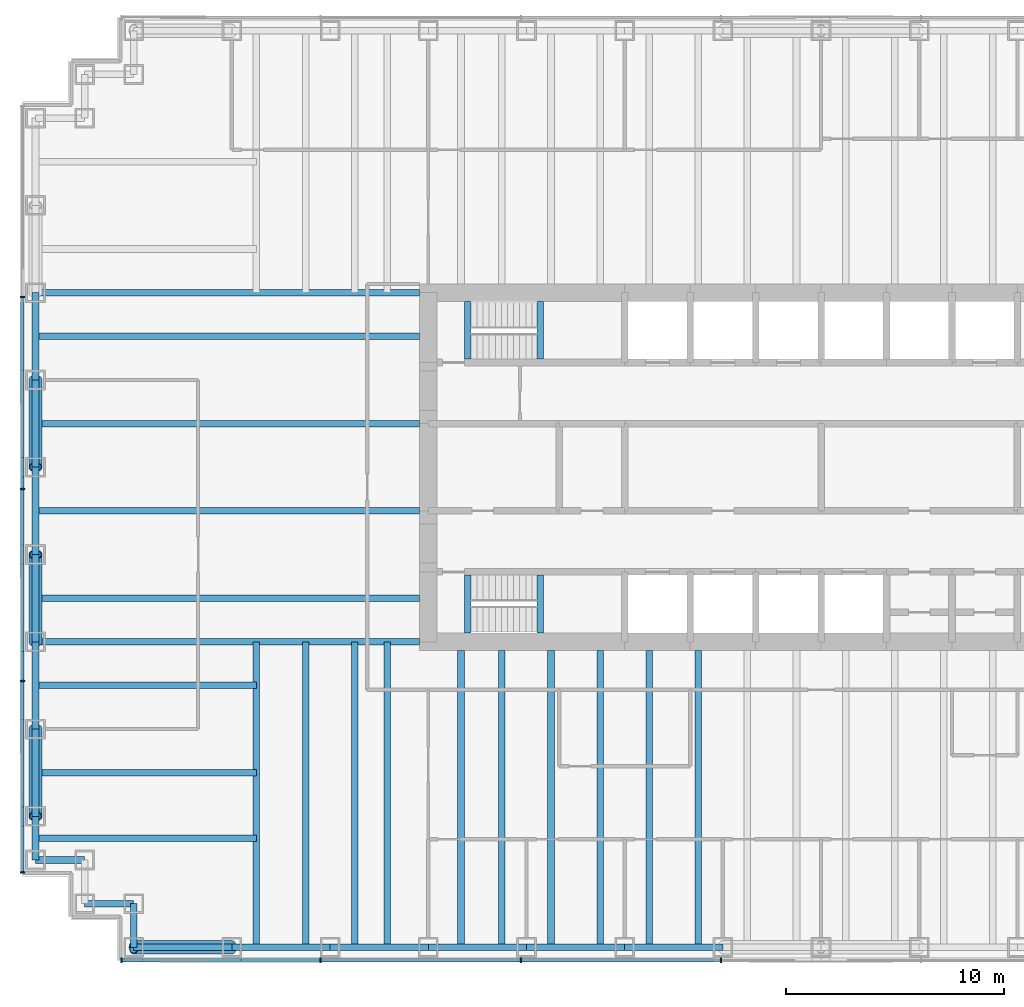
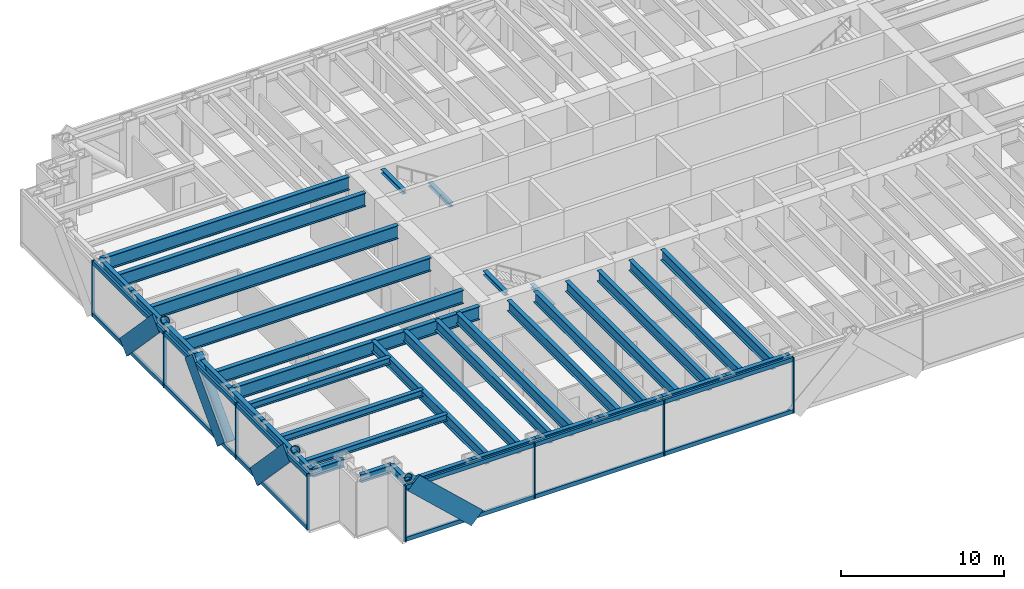
# One storey, part 2 of 14: 39 beams, 28 members, 2 elements without a shape of their own.
"""IFC4 building model written with IfcOpenShell, lengths in metres."""

from ifc_helpers import new_model, si_unit, direction, frame, origin, origin_2d, place, context, subcontext, project, spatial, rectangle, hollow_circle, i_section, extrude, material, material_profile, profile_set, type_object, element, aggregate, save


model = new_model("IFC4")

# Units and contexts
model_context = context("Model", 3, precision=1e-05, world=origin(), true_north=direction((0.0, 1.0)))
body_context = subcontext(model_context, "Body", "Model", "MODEL_VIEW")
ifc_project = project(units=[si_unit("LENGTHUNIT", "METRE"), si_unit("AREAUNIT", "SQUARE_METRE"), si_unit("VOLUMEUNIT", "CUBIC_METRE"), si_unit("PLANEANGLEUNIT", "RADIAN"), si_unit("MASSUNIT", "GRAM", prefix="KILO")], contexts=[model_context])

# Site, building, storey
site_placement = place(None, origin())
site = spatial("IfcSite", under=ifc_project, at=site_placement, CompositionType="ELEMENT")
building_placement = place(site_placement, origin())
building = spatial("IfcBuilding", under=site, at=building_placement, Name="Rheinbord Bourse Tower", CompositionType="ELEMENT")
storey_placement = place(building_placement, frame((0.0, 0.0, 211.0)))
storey = spatial("IfcBuildingStorey", under=building, at=storey_placement, Name="L47", CompositionType="ELEMENT", Elevation=211.0)

# Curtain wall, member
ifc_material_1 = material(Name="Dark glass and black aluminium", Category="aluminium")
curtain_wall_type = type_object("IfcCurtainWallType", Name="CW2 DARK GLASS CURTAIN WALL", PredefinedType="USERDEFINED", material=ifc_material_1)
curtain_wall_1_placement = place(storey_placement, origin())
curtain_wall_1 = element("IfcCurtainWall", 1, at=curtain_wall_1_placement, inside=storey, type_object=curtain_wall_type, Name="Curtain wall CW2 S L47", ObjectType="UNITISED CURTAIN WALL", PredefinedType="USERDEFINED")
ifc_material_2 = material(Name="Black anodised aluminium", Category="aluminium")
ifc_material_profile_1 = material_profile(ifc_material_2, rectangle(XDim=0.159912109375, YDim=1.2099609375, at=origin_2d()), Name="CW2 DIAGONAL MULLION 1210x160")
ifc_profile_set_1 = profile_set([ifc_material_profile_1], Name="Black anodised aluminium")
member_type_1 = type_object("IfcMemberType", Name="CW2 BLACK DIAGONAL MULLION", PredefinedType="USERDEFINED", material=ifc_profile_set_1)
member_1_placement = place(storey_placement, frame((9.0, 1.39990234375, 0.0), z_axis=(-0.73105922506, 0.0, 0.682314010889), x_axis=(0.0, -1.0, 0.0)))
member_1 = element("IfcMember", 2, at=member_1_placement, type_object=member_type_1, Name="CW2 diagonal mullion c", ObjectType="DIAGONAL MULLION", PredefinedType="USERDEFINED", context=body_context, shape_type="SweptSolid", body=[
    extrude(rectangle(XDim=0.159912109375, YDim=1.2099609375, at=origin_2d()), origin(), (0.0, 0.0, 1.0), 6.155517578125),
])

# Curtain wall, members
curtain_wall_2_placement = place(storey_placement, origin())
curtain_wall_2 = element("IfcCurtainWall", 3, at=curtain_wall_2_placement, inside=storey, type_object=curtain_wall_type, Name="Curtain wall CW2 W L47", ObjectType="UNITISED CURTAIN WALL", PredefinedType="USERDEFINED")
member_2_placement = place(storey_placement, frame((-0.60009765625, 28.0, 0.0), z_axis=(0.0, -0.689659376744, 0.724133926887), x_axis=(1.0, 0.0, 0.0)))
member_2 = element("IfcMember", 4, at=member_2_placement, type_object=member_type_1, Name="CW2 diagonal mullion a", ObjectType="DIAGONAL MULLION", PredefinedType="USERDEFINED", context=body_context, shape_type="SweptSolid", body=[
    extrude(rectangle(XDim=0.159912109375, YDim=1.2099609375, at=origin_2d()), origin(), (0.0, 0.0, 1.0), 5.800048828125),
])
member_3_placement = place(storey_placement, frame((-0.60009765625, 16.0, 0.0), z_axis=(0.0, 0.689659376744, 0.724133926887), x_axis=(-1.0, 0.0, 0.0)))
member_3 = element("IfcMember", 5, at=member_3_placement, type_object=member_type_1, Name="CW2 diagonal mullion b", ObjectType="DIAGONAL MULLION", PredefinedType="USERDEFINED", context=body_context, shape_type="SweptSolid", body=[
    extrude(rectangle(XDim=0.159912109375, YDim=1.2099609375, at=origin_2d()), origin(), (0.0, 0.0, 1.0), 5.800048828125),
])
member_4_placement = place(storey_placement, frame((-0.60009765625, 12.0, 0.0), z_axis=(0.0, -0.689659376744, 0.724133926887), x_axis=(1.0, 0.0, 0.0)))
member_4 = element("IfcMember", 6, at=member_4_placement, type_object=member_type_1, Name="CW2 diagonal mullion c", ObjectType="DIAGONAL MULLION", PredefinedType="USERDEFINED", context=body_context, shape_type="SweptSolid", body=[
    extrude(rectangle(XDim=0.159912109375, YDim=1.2099609375, at=origin_2d()), origin(), (0.0, 0.0, 1.0), 5.800048828125),
])

# Member
ifc_material_3 = material(Name="Black anodised aluminium", Category="aluminium")
ifc_material_profile_2 = material_profile(ifc_material_3, rectangle(XDim=0.219970703125, YDim=0.070068359375, at=origin_2d()), Name="CW2 MULLION 70x220")
ifc_profile_set_2 = profile_set([ifc_material_profile_2], Name="Black anodised aluminium")
member_type_2 = type_object("IfcMemberType", Name="CW2 BLACK MULLION", PredefinedType="MULLION", material=ifc_profile_set_2)
member_5_placement = place(storey_placement, frame((3.93505859375, 1.39990234375, 0.0), z_axis=(0.0, 0.0, 1.0), x_axis=(0.0, 1.0, 0.0)))
member_5 = element("IfcMember", 7, at=member_5_placement, type_object=member_type_2, Name="CW2 mullion 1", PredefinedType="MULLION", context=body_context, shape_type="SweptSolid", body=[
    extrude(rectangle(XDim=0.219970703125, YDim=0.070068359375, at=origin_2d()), origin(), (0.0, 0.0, 1.0), 4.199951171875),
])

member_6_placement = place(storey_placement, frame((13.071533203125, 1.39990234375, 0.0), z_axis=(0.0, 0.0, 1.0), x_axis=(0.0, 1.0, 0.0)))
member_6 = element("IfcMember", 8, at=member_6_placement, type_object=member_type_2, Name="CW2 mullion 2", PredefinedType="MULLION", context=body_context, shape_type="SweptSolid", body=[
    extrude(rectangle(XDim=0.219970703125, YDim=0.070068359375, at=origin_2d()), origin(), (0.0, 0.0, 1.0), 4.199951171875),
])

member_7_placement = place(storey_placement, frame((22.242919921875, 1.39990234375, 0.0), z_axis=(0.0, 0.0, 1.0), x_axis=(0.0, 1.0, 0.0)))
member_7 = element("IfcMember", 9, at=member_7_placement, type_object=member_type_2, Name="CW2 mullion 3", PredefinedType="MULLION", context=body_context, shape_type="SweptSolid", body=[
    extrude(rectangle(XDim=0.219970703125, YDim=0.070068359375, at=origin_2d()), origin(), (0.0, 0.0, 1.0), 4.199951171875),
])

member_8_placement = place(storey_placement, frame((31.414306640625, 1.39990234375, 0.0), z_axis=(0.0, 0.0, 1.0), x_axis=(0.0, 1.0, 0.0)))
member_8 = element("IfcMember", 10, at=member_8_placement, type_object=member_type_2, Name="CW2 mullion 4", PredefinedType="MULLION", context=body_context, shape_type="SweptSolid", body=[
    extrude(rectangle(XDim=0.219970703125, YDim=0.070068359375, at=origin_2d()), origin(), (0.0, 0.0, 1.0), 4.199951171875),
])

member_9_placement = place(storey_placement, frame((-0.60009765625, 31.800048828125, 0.0), z_axis=(0.0, 0.0, 1.0), x_axis=(1.0, 0.0, 0.0)))
member_9 = element("IfcMember", 11, at=member_9_placement, type_object=member_type_2, Name="CW2 mullion 2", PredefinedType="MULLION", context=body_context, shape_type="SweptSolid", body=[
    extrude(rectangle(XDim=0.219970703125, YDim=0.070068359375, at=origin_2d()), origin(), (0.0, 0.0, 1.0), 4.199951171875),
])

member_10_placement = place(storey_placement, frame((-0.60009765625, 23.0, 0.0), z_axis=(0.0, 0.0, 1.0), x_axis=(1.0, 0.0, 0.0)))
member_10 = element("IfcMember", 12, at=member_10_placement, type_object=member_type_2, Name="CW2 mullion 3", PredefinedType="MULLION", context=body_context, shape_type="SweptSolid", body=[
    extrude(rectangle(XDim=0.219970703125, YDim=0.070068359375, at=origin_2d()), origin(), (0.0, 0.0, 1.0), 4.199951171875),
])

member_11_placement = place(storey_placement, frame((-0.60009765625, 14.199951171875, 0.0), z_axis=(0.0, 0.0, 1.0), x_axis=(1.0, 0.0, 0.0)))
member_11 = element("IfcMember", 13, at=member_11_placement, type_object=member_type_2, Name="CW2 mullion 4", PredefinedType="MULLION", context=body_context, shape_type="SweptSolid", body=[
    extrude(rectangle(XDim=0.219970703125, YDim=0.070068359375, at=origin_2d()), origin(), (0.0, 0.0, 1.0), 4.199951171875),
])

member_12_placement = place(storey_placement, frame((-0.60009765625, 5.43505859375, 0.0), z_axis=(0.0, 0.0, 1.0), x_axis=(1.0, 0.0, 0.0)))
member_12 = element("IfcMember", 14, at=member_12_placement, type_object=member_type_2, Name="CW2 mullion 5", PredefinedType="MULLION", context=body_context, shape_type="SweptSolid", body=[
    extrude(rectangle(XDim=0.219970703125, YDim=0.070068359375, at=origin_2d()), origin(), (0.0, 0.0, 1.0), 4.199951171875),
])

ifc_material_4 = material(Name="Black anodised aluminium", Category="aluminium")
ifc_material_profile_3 = material_profile(ifc_material_4, rectangle(XDim=0.159912109375, YDim=0.300048828125, at=origin_2d()), Name="CW2 TRANSOM 300x160")
ifc_profile_set_3 = profile_set([ifc_material_profile_3], Name="Black anodised aluminium")
member_type_3 = type_object("IfcMemberType", Name="CW2 BLACK TRANSOM", PredefinedType="USERDEFINED", material=ifc_profile_set_3)
member_13_placement = place(storey_placement, frame((3.969970703125, 1.39990234375, 0.14990234375), z_axis=(1.0, 0.0, 0.0), x_axis=(0.0, 1.0, 0.0)))
member_13 = element("IfcMember", 15, at=member_13_placement, type_object=member_type_3, Name="CW2 transom 1.1", ObjectType="TRANSOM", PredefinedType="USERDEFINED", context=body_context, shape_type="SweptSolid", body=[
    extrude(rectangle(XDim=0.159912109375, YDim=0.300048828125, at=origin_2d()), origin(), (0.0, 0.0, 1.0), 9.06640625),
])

member_14_placement = place(storey_placement, frame((3.969970703125, 1.39990234375, 4.050048828125), z_axis=(1.0, 0.0, 0.0), x_axis=(0.0, 1.0, 0.0)))
member_14 = element("IfcMember", 16, at=member_14_placement, type_object=member_type_3, Name="CW2 transom 1.2", ObjectType="TRANSOM", PredefinedType="USERDEFINED", context=body_context, shape_type="SweptSolid", body=[
    extrude(rectangle(XDim=0.159912109375, YDim=0.300048828125, at=origin_2d()), origin(), (0.0, 0.0, 1.0), 9.06640625),
])

member_15_placement = place(storey_placement, frame((13.1064453125, 1.39990234375, 0.14990234375), z_axis=(1.0, 0.0, 0.0), x_axis=(0.0, 1.0, 0.0)))
member_15 = element("IfcMember", 17, at=member_15_placement, type_object=member_type_3, Name="CW2 transom 2.1", ObjectType="TRANSOM", PredefinedType="USERDEFINED", context=body_context, shape_type="SweptSolid", body=[
    extrude(rectangle(XDim=0.159912109375, YDim=0.300048828125, at=origin_2d()), origin(), (0.0, 0.0, 1.0), 9.101318359375),
])

member_16_placement = place(storey_placement, frame((13.1064453125, 1.39990234375, 4.050048828125), z_axis=(1.0, 0.0, 0.0), x_axis=(0.0, 1.0, 0.0)))
member_16 = element("IfcMember", 18, at=member_16_placement, type_object=member_type_3, Name="CW2 transom 2.2", ObjectType="TRANSOM", PredefinedType="USERDEFINED", context=body_context, shape_type="SweptSolid", body=[
    extrude(rectangle(XDim=0.159912109375, YDim=0.300048828125, at=origin_2d()), origin(), (0.0, 0.0, 1.0), 9.101318359375),
])

member_17_placement = place(storey_placement, frame((22.27783203125, 1.39990234375, 0.14990234375), z_axis=(1.0, 0.0, 0.0), x_axis=(0.0, 1.0, 0.0)))
member_17 = element("IfcMember", 19, at=member_17_placement, type_object=member_type_3, Name="CW2 transom 3.1", ObjectType="TRANSOM", PredefinedType="USERDEFINED", context=body_context, shape_type="SweptSolid", body=[
    extrude(rectangle(XDim=0.159912109375, YDim=0.300048828125, at=origin_2d()), origin(), (0.0, 0.0, 1.0), 9.1015625),
])

member_18_placement = place(storey_placement, frame((22.27783203125, 1.39990234375, 4.050048828125), z_axis=(1.0, 0.0, 0.0), x_axis=(0.0, 1.0, 0.0)))
member_18 = element("IfcMember", 20, at=member_18_placement, type_object=member_type_3, Name="CW2 transom 3.2", ObjectType="TRANSOM", PredefinedType="USERDEFINED", context=body_context, shape_type="SweptSolid", body=[
    extrude(rectangle(XDim=0.159912109375, YDim=0.300048828125, at=origin_2d()), origin(), (0.0, 0.0, 1.0), 9.1015625),
])

aggregate(curtain_wall_1, [member_5, member_6, member_7, member_8, member_13, member_14, member_15, member_16, member_17, member_18, member_1])

member_19_placement = place(storey_placement, frame((-0.60009765625, 31.764892578125, 0.14990234375), z_axis=(0.0, -1.0, 0.0), x_axis=(1.0, 0.0, 0.0)))
member_19 = element("IfcMember", 21, at=member_19_placement, type_object=member_type_3, Name="CW2 transom 2.1", ObjectType="TRANSOM", PredefinedType="USERDEFINED", context=body_context, shape_type="SweptSolid", body=[
    extrude(rectangle(XDim=0.159912109375, YDim=0.300048828125, at=origin_2d()), origin(), (0.0, 0.0, 1.0), 8.72998046875),
])

member_20_placement = place(storey_placement, frame((-0.60009765625, 31.764892578125, 4.050048828125), z_axis=(0.0, -1.0, 0.0), x_axis=(1.0, 0.0, 0.0)))
member_20 = element("IfcMember", 22, at=member_20_placement, type_object=member_type_3, Name="CW2 transom 2.2", ObjectType="TRANSOM", PredefinedType="USERDEFINED", context=body_context, shape_type="SweptSolid", body=[
    extrude(rectangle(XDim=0.159912109375, YDim=0.300048828125, at=origin_2d()), origin(), (0.0, 0.0, 1.0), 8.72998046875),
])

member_21_placement = place(storey_placement, frame((-0.60009765625, 22.965087890625, 0.14990234375), z_axis=(0.0, -1.0, 0.0), x_axis=(1.0, 0.0, 0.0)))
member_21 = element("IfcMember", 23, at=member_21_placement, type_object=member_type_3, Name="CW2 transom 3.1", ObjectType="TRANSOM", PredefinedType="USERDEFINED", context=body_context, shape_type="SweptSolid", body=[
    extrude(rectangle(XDim=0.159912109375, YDim=0.300048828125, at=origin_2d()), origin(), (0.0, 0.0, 1.0), 8.72998046875),
])

member_22_placement = place(storey_placement, frame((-0.60009765625, 22.965087890625, 4.050048828125), z_axis=(0.0, -1.0, 0.0), x_axis=(1.0, 0.0, 0.0)))
member_22 = element("IfcMember", 24, at=member_22_placement, type_object=member_type_3, Name="CW2 transom 3.2", ObjectType="TRANSOM", PredefinedType="USERDEFINED", context=body_context, shape_type="SweptSolid", body=[
    extrude(rectangle(XDim=0.159912109375, YDim=0.300048828125, at=origin_2d()), origin(), (0.0, 0.0, 1.0), 8.72998046875),
])

member_23_placement = place(storey_placement, frame((-0.60009765625, 14.1650390625, 0.14990234375), z_axis=(0.0, -1.0, 0.0), x_axis=(1.0, 0.0, 0.0)))
member_23 = element("IfcMember", 25, at=member_23_placement, type_object=member_type_3, Name="CW2 transom 4.1", ObjectType="TRANSOM", PredefinedType="USERDEFINED", context=body_context, shape_type="SweptSolid", body=[
    extrude(rectangle(XDim=0.159912109375, YDim=0.300048828125, at=origin_2d()), origin(), (0.0, 0.0, 1.0), 8.695068359375),
])

member_24_placement = place(storey_placement, frame((-0.60009765625, 14.1650390625, 4.050048828125), z_axis=(0.0, -1.0, 0.0), x_axis=(1.0, 0.0, 0.0)))
member_24 = element("IfcMember", 26, at=member_24_placement, type_object=member_type_3, Name="CW2 transom 4.2", ObjectType="TRANSOM", PredefinedType="USERDEFINED", context=body_context, shape_type="SweptSolid", body=[
    extrude(rectangle(XDim=0.159912109375, YDim=0.300048828125, at=origin_2d()), origin(), (0.0, 0.0, 1.0), 8.695068359375),
])

aggregate(curtain_wall_2, [member_9, member_10, member_11, member_12, member_19, member_20, member_21, member_22, member_23, member_24, member_2, member_3, member_4])

# Beams
ifc_material_5 = material(Name="Steel S460", Category="steel")
ifc_material_profile_4 = material_profile(ifc_material_5, i_section(OverallWidth=0.302001953125, OverallDepth=1.008056640625, WebThickness=0.02099609375, FlangeThickness=0.0400390625, at=origin_2d()), Name="HEM 1000")
ifc_profile_set_4 = profile_set([ifc_material_profile_4], Name="Steel S460")
beam_type_1 = type_object("IfcBeamType", Name="END BEAM HEM 1000", PredefinedType="BEAM", material=ifc_profile_set_4)
for number, where, z_axis, x_axis, name in (
    (27, (0.0, 18.0, 3.535888671875), (1.0, 0.0, 0.0), (0.0, 1.0, 0.0), "End beam west 18 L48"),
    (28, (0.0, 22.0, 3.535888671875), (1.0, 0.0, 0.0), (0.0, 1.0, 0.0), "End beam west 22 L48"),
    (29, (0.0, 26.0, 3.535888671875), (1.0, 0.0, 0.0), (0.0, 1.0, 0.0), "End beam west 26 L48"),
    (30, (0.0, 30.0, 3.535888671875), (1.0, 0.0, 0.0), (0.0, 1.0, 0.0), "End beam west 30 L48"),
):
    element("IfcBeam", number, at=place(storey_placement, frame(where, z_axis=z_axis, x_axis=x_axis)), inside=storey, type_object=beam_type_1, Name=name, PredefinedType="BEAM", context=body_context, shape_type="SweptSolid", body=[
        extrude(i_section(OverallWidth=0.302001953125, OverallDepth=1.008056640625, WebThickness=0.02099609375, FlangeThickness=0.0400390625, at=origin_2d()), origin(), (0.0, 0.0, 1.0), 17.60009765625),
    ])
ifc_material_6 = material(Name="Steel S460", Category="steel")
ifc_material_profile_5 = material_profile(ifc_material_6, i_section(OverallWidth=0.300048828125, OverallDepth=0.800048828125, WebThickness=0.017578125, FlangeThickness=0.032958984375, at=origin_2d()), Name="HEB 800")
ifc_profile_set_5 = profile_set([ifc_material_profile_5], Name="Steel S460")
beam_type_2 = type_object("IfcBeamType", Name="FLOOR BEAM HEB 800", PredefinedType="BEAM", material=ifc_profile_set_5)
for number, where, z_axis, x_axis, name in (
    (31, (10.125, 2.0, 3.639892578125), (0.0, 1.0, 0.0), (-1.0, 0.0, 0.0), "Floor beam S-9a L48"),
    (32, (12.375, 2.0, 3.639892578125), (0.0, 1.0, 0.0), (-1.0, 0.0, 0.0), "Floor beam S-9b L48"),
    (33, (14.625, 2.0, 3.639892578125), (0.0, 1.0, 0.0), (-1.0, 0.0, 0.0), "Floor beam S-13.5a L48"),
    (34, (16.125, 2.0, 3.639892578125), (0.0, 1.0, 0.0), (-1.0, 0.0, 0.0), "Floor beam S-13.5b L48"),
):
    element("IfcBeam", number, at=place(storey_placement, frame(where, z_axis=z_axis, x_axis=x_axis)), inside=storey, type_object=beam_type_2, Name=name, PredefinedType="BEAM", context=body_context, shape_type="SweptSolid", body=[
        extrude(i_section(OverallWidth=0.300048828125, OverallDepth=0.800048828125, WebThickness=0.017578125, FlangeThickness=0.032958984375, at=origin_2d()), origin(), (0.0, 0.0, 1.0), 14.0),
    ])
for number, where, z_axis, x_axis, name in (
    (35, (19.5, 2.0, 3.639892578125), (0.0, 1.0, 0.0), (-1.0, 0.0, 0.0), "Floor beam S-18a L48"),
    (36, (21.375, 2.0, 3.639892578125), (0.0, 1.0, 0.0), (-1.0, 0.0, 0.0), "Floor beam S-18b L48"),
    (37, (23.625, 2.0, 3.639892578125), (0.0, 1.0, 0.0), (-1.0, 0.0, 0.0), "Floor beam S-22.5a L48"),
    (38, (25.875, 2.0, 3.639892578125), (0.0, 1.0, 0.0), (-1.0, 0.0, 0.0), "Floor beam S-22.5b L48"),
    (39, (28.125, 2.0, 3.639892578125), (0.0, 1.0, 0.0), (-1.0, 0.0, 0.0), "Floor beam S-27a L48"),
    (40, (30.375, 2.0, 3.639892578125), (0.0, 1.0, 0.0), (-1.0, 0.0, 0.0), "Floor beam S-27b L48"),
):
    element("IfcBeam", number, at=place(storey_placement, frame(where, z_axis=z_axis, x_axis=x_axis)), inside=storey, type_object=beam_type_2, Name=name, PredefinedType="BEAM", context=body_context, shape_type="SweptSolid", body=[
        extrude(i_section(OverallWidth=0.300048828125, OverallDepth=0.800048828125, WebThickness=0.017578125, FlangeThickness=0.032958984375, at=origin_2d()), origin(), (0.0, 0.0, 1.0), 13.60009765625),
    ])
ifc_material_7 = material(Name="Steel S460", Category="steel")
ifc_material_profile_6 = material_profile(ifc_material_7, i_section(OverallWidth=0.302001953125, OverallDepth=1.008056640625, WebThickness=0.02099609375, FlangeThickness=0.0400390625, at=origin_2d()), Name="HEM 1000")
ifc_profile_set_6 = profile_set([ifc_material_profile_6], Name="Steel S460")
beam_type_3 = type_object("IfcBeamType", Name="GIRDER HEM 1000", PredefinedType="BEAM", material=ifc_profile_set_6)
for number, where, z_axis, x_axis, name in (
    (41, (0.0, 16.0, 3.535888671875), (1.0, 0.0, 0.0), (0.0, 1.0, 0.0), "Girder west 16 L48"),
    (42, (0.0, 32.0, 3.535888671875), (1.0, 0.0, 0.0), (0.0, 1.0, 0.0), "Girder west 32 L48"),
):
    element("IfcBeam", number, at=place(storey_placement, frame(where, z_axis=z_axis, x_axis=x_axis)), inside=storey, type_object=beam_type_3, Name=name, PredefinedType="BEAM", context=body_context, shape_type="SweptSolid", body=[
        extrude(i_section(OverallWidth=0.302001953125, OverallDepth=1.008056640625, WebThickness=0.02099609375, FlangeThickness=0.0400390625, at=origin_2d()), origin(), (0.0, 0.0, 1.0), 17.60009765625),
    ])
ifc_material_8 = material(Name="Steel S460", Category="steel")
ifc_material_profile_7 = material_profile(ifc_material_8, i_section(OverallWidth=0.300048828125, OverallDepth=0.300048828125, WebThickness=0.010986328125, FlangeThickness=0.01904296875, at=origin_2d()), Name="HEB 300")
ifc_profile_set_7 = profile_set([ifc_material_profile_7], Name="Steel S460")
beam_type_4 = type_object("IfcBeamType", Name="LANDING TRIMMER HEB 300", PredefinedType="BEAM", material=ifc_profile_set_7)
for number, where, z_axis, x_axis, name in (
    (43, (23.1298828125, 16.39990234375, 1.75), (0.0, 1.0, 0.0), (-1.0, 0.0, 0.0), "Landing trimmer ST1 L47"),
    (44, (19.800048828125, 16.39990234375, 3.889892578125), (0.0, 1.0, 0.0), (-1.0, 0.0, 0.0), "Well trimmer ST1 under L48"),
    (45, (23.1298828125, 28.949951171875, 1.75), (0.0, 1.0, 0.0), (-1.0, 0.0, 0.0), "Landing trimmer ST2 L47"),
    (46, (19.800048828125, 28.949951171875, 3.889892578125), (0.0, 1.0, 0.0), (-1.0, 0.0, 0.0), "Well trimmer ST2 under L48"),
):
    element("IfcBeam", number, at=place(storey_placement, frame(where, z_axis=z_axis, x_axis=x_axis)), inside=storey, type_object=beam_type_4, Name=name, PredefinedType="BEAM", context=body_context, shape_type="SweptSolid", body=[
        extrude(i_section(OverallWidth=0.300048828125, OverallDepth=0.300048828125, WebThickness=0.010986328125, FlangeThickness=0.01904296875, at=origin_2d()), origin(), (0.0, 0.0, 1.0), 2.650146484375),
    ])

# Members
ifc_material_9 = material(Name="Steel S460", Category="steel")
ifc_material_profile_8 = material_profile(ifc_material_9, hollow_circle(Radius=0.304931640625, WallThickness=0.0400390625, at=origin_2d()), Name="CHS 610x40")
ifc_profile_set_8 = profile_set([ifc_material_profile_8], Name="Steel S460")
member_type_4 = type_object("IfcMemberType", Name="MEGABRACE CHS 610x40", PredefinedType="BRACE", material=ifc_profile_set_8)
member_25_placement = place(storey_placement, frame((9.0, 2.0, 0.0), z_axis=(-0.73105922506, 0.0, 0.682314010889), x_axis=(0.0, -1.0, 0.0)))
element("IfcMember", 47, at=member_25_placement, inside=storey, type_object=member_type_4, Name="Megabrace S face line c L47", PredefinedType="BRACE", context=body_context, shape_type="SweptSolid", body=[
    extrude(hollow_circle(Radius=0.304931640625, WallThickness=0.0400390625, at=origin_2d()), origin(), (0.0, 0.0, 1.0), 6.155517578125),
])
for number, where, z_axis, x_axis, name in (
    (48, (0.0, 28.0, 0.0), (0.0, -0.689659376744, 0.724133926887), (1.0, 0.0, 0.0), "Megabrace W face line a L47"),
    (49, (0.0, 16.0, 0.0), (0.0, 0.689659376744, 0.724133926887), (-1.0, 0.0, 0.0), "Megabrace W face line b L47"),
    (50, (0.0, 12.0, 0.0), (0.0, -0.689659376744, 0.724133926887), (1.0, 0.0, 0.0), "Megabrace W face line c L47"),
):
    element("IfcMember", number, at=place(storey_placement, frame(where, z_axis=z_axis, x_axis=x_axis)), inside=storey, type_object=member_type_4, Name=name, PredefinedType="BRACE", context=body_context, shape_type="SweptSolid", body=[
        extrude(hollow_circle(Radius=0.304931640625, WallThickness=0.0400390625, at=origin_2d()), origin(), (0.0, 0.0, 1.0), 5.800048828125),
    ])

# Beams
ifc_material_10 = material(Name="Steel S460", Category="steel")
ifc_material_profile_9 = material_profile(ifc_material_10, i_section(OverallWidth=0.300048828125, OverallDepth=0.60009765625, WebThickness=0.015380859375, FlangeThickness=0.030029296875, at=origin_2d()), Name="HEB 600")
ifc_profile_set_9 = profile_set([ifc_material_profile_9], Name="Steel S460")
beam_type_5 = type_object("IfcBeamType", Name="SPANDREL HEB 600", PredefinedType="SPANDREL", material=ifc_profile_set_9)
for number, where, z_axis, x_axis, name in (
    (51, (4.5, 2.0, 3.739990234375), (1.0, 0.0, 0.0), (0.0, 1.0, 0.0), "Spandrel SW-E-S-9 under L48"),
    (52, (9.0, 2.0, 3.739990234375), (1.0, 0.0, 0.0), (0.0, 1.0, 0.0), "Spandrel S-9-S-13.5 under L48"),
    (53, (13.5, 2.0, 3.739990234375), (1.0, 0.0, 0.0), (0.0, 1.0, 0.0), "Spandrel S-13.5-S-18 under L48"),
    (54, (18.0, 2.0, 3.739990234375), (1.0, 0.0, 0.0), (0.0, 1.0, 0.0), "Spandrel S-18-S-22.5 under L48"),
    (55, (22.5, 2.0, 3.739990234375), (1.0, 0.0, 0.0), (0.0, 1.0, 0.0), "Spandrel S-22.5-S-27 under L48"),
    (56, (27.0, 2.0, 3.739990234375), (1.0, 0.0, 0.0), (0.0, 1.0, 0.0), "Spandrel S-27-S-31.5 under L48"),
):
    element("IfcBeam", number, at=place(storey_placement, frame(where, z_axis=z_axis, x_axis=x_axis)), inside=storey, type_object=beam_type_5, Name=name, PredefinedType="SPANDREL", context=body_context, shape_type="SweptSolid", body=[
        extrude(i_section(OverallWidth=0.300048828125, OverallDepth=0.60009765625, WebThickness=0.015380859375, FlangeThickness=0.030029296875, at=origin_2d()), origin(), (0.0, 0.0, 1.0), 4.5),
    ])
for number, where, z_axis, x_axis, name in (
    (57, (0.0, 32.0, 3.739990234375), (0.0, -1.0, 0.0), (1.0, 0.0, 0.0), "Spandrel W-32-W-28 under L48"),
    (58, (0.0, 28.0, 3.739990234375), (0.0, -1.0, 0.0), (1.0, 0.0, 0.0), "Spandrel W-28-W-24 under L48"),
    (59, (0.0, 24.0, 3.739990234375), (0.0, -1.0, 0.0), (1.0, 0.0, 0.0), "Spandrel W-24-W-20 under L48"),
    (60, (0.0, 20.0, 3.739990234375), (0.0, -1.0, 0.0), (1.0, 0.0, 0.0), "Spandrel W-20-W-16 under L48"),
    (61, (0.0, 16.0, 3.739990234375), (0.0, -1.0, 0.0), (1.0, 0.0, 0.0), "Spandrel W-16-W-12 under L48"),
    (62, (0.0, 12.0, 3.739990234375), (0.0, -1.0, 0.0), (1.0, 0.0, 0.0), "Spandrel W-12-W-8 under L48"),
):
    element("IfcBeam", number, at=place(storey_placement, frame(where, z_axis=z_axis, x_axis=x_axis)), inside=storey, type_object=beam_type_5, Name=name, PredefinedType="SPANDREL", context=body_context, shape_type="SweptSolid", body=[
        extrude(i_section(OverallWidth=0.300048828125, OverallDepth=0.60009765625, WebThickness=0.015380859375, FlangeThickness=0.030029296875, at=origin_2d()), origin(), (0.0, 0.0, 1.0), 4.0),
    ])
beam_1_placement = place(storey_placement, frame((0.0, 8.0, 3.739990234375), z_axis=(0.0, -1.0, 0.0), x_axis=(1.0, 0.0, 0.0)))
element("IfcBeam", 63, at=beam_1_placement, inside=storey, type_object=beam_type_5, Name="Spandrel W-8-SW-A under L48", PredefinedType="SPANDREL", context=body_context, shape_type="SweptSolid", body=[
    extrude(i_section(OverallWidth=0.300048828125, OverallDepth=0.60009765625, WebThickness=0.015380859375, FlangeThickness=0.030029296875, at=origin_2d()), origin(), (0.0, 0.0, 1.0), 2.0),
])
for number, where, z_axis, x_axis, name in (
    (64, (0.0, 6.0, 3.739990234375), (1.0, 0.0, 0.0), (0.0, 1.0, 0.0), "Spandrel SW-A-SW-B under L48"),
    (65, (2.25, 4.0, 3.739990234375), (1.0, 0.0, 0.0), (0.0, 1.0, 0.0), "Spandrel SW-C-SW-D under L48"),
):
    element("IfcBeam", number, at=place(storey_placement, frame(where, z_axis=z_axis, x_axis=x_axis)), inside=storey, type_object=beam_type_5, Name=name, PredefinedType="SPANDREL", context=body_context, shape_type="SweptSolid", body=[
        extrude(i_section(OverallWidth=0.300048828125, OverallDepth=0.60009765625, WebThickness=0.015380859375, FlangeThickness=0.030029296875, at=origin_2d()), origin(), (0.0, 0.0, 1.0), 2.25),
    ])
beam_2_placement = place(storey_placement, frame((4.5, 4.0, 3.739990234375), z_axis=(0.0, -1.0, 0.0), x_axis=(1.0, 0.0, 0.0)))
element("IfcBeam", 66, at=beam_2_placement, inside=storey, type_object=beam_type_5, Name="Spandrel SW-D-SW-E under L48", PredefinedType="SPANDREL", context=body_context, shape_type="SweptSolid", body=[
    extrude(i_section(OverallWidth=0.300048828125, OverallDepth=0.60009765625, WebThickness=0.015380859375, FlangeThickness=0.030029296875, at=origin_2d()), origin(), (0.0, 0.0, 1.0), 2.0),
])
ifc_material_11 = material(Name="Steel S460", Category="steel")
ifc_material_profile_10 = material_profile(ifc_material_11, i_section(OverallWidth=0.300048828125, OverallDepth=0.5, WebThickness=0.014404296875, FlangeThickness=0.028076171875, at=origin_2d()), Name="HEB 500")
ifc_profile_set_10 = profile_set([ifc_material_profile_10], Name="Steel S460")
beam_type_6 = type_object("IfcBeamType", Name="TIE BEAM HEB 500", PredefinedType="JOIST", material=ifc_profile_set_10)
for number, where, z_axis, x_axis, name in (
    (67, (0.0, 7.0, 3.7900390625), (1.0, 0.0, 0.0), (0.0, 1.0, 0.0), "Tie west 7 L48"),
    (68, (0.0, 10.0, 3.7900390625), (1.0, 0.0, 0.0), (0.0, 1.0, 0.0), "Tie west 10 L48"),
    (69, (0.0, 14.0, 3.7900390625), (1.0, 0.0, 0.0), (0.0, 1.0, 0.0), "Tie west 14 L48"),
):
    element("IfcBeam", number, at=place(storey_placement, frame(where, z_axis=z_axis, x_axis=x_axis)), inside=storey, type_object=beam_type_6, Name=name, PredefinedType="JOIST", context=body_context, shape_type="SweptSolid", body=[
        extrude(i_section(OverallWidth=0.300048828125, OverallDepth=0.5, WebThickness=0.014404296875, FlangeThickness=0.028076171875, at=origin_2d()), origin(), (0.0, 0.0, 1.0), 10.125),
    ])

save(model, "model.ifc")
